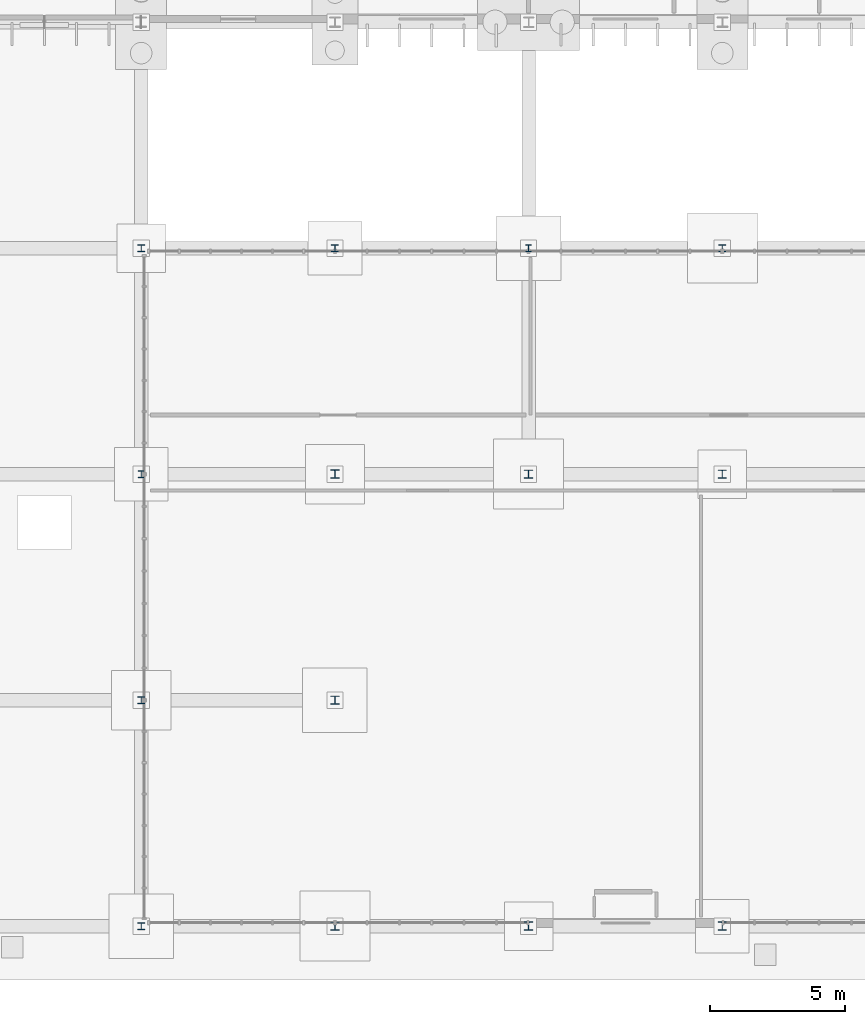
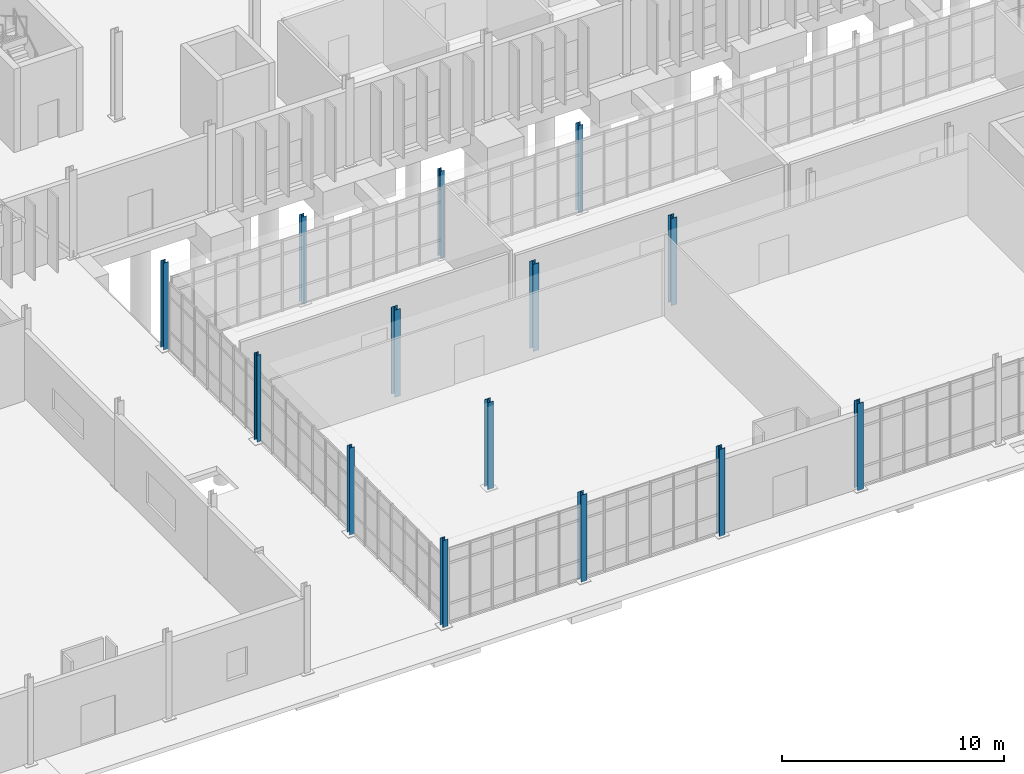
# One storey, part 14 of 118: 14 columns.
"""IFC4 building model written with IfcOpenShell, lengths in metres."""

from ifc_helpers import new_model, si_unit, direction, frame, origin, origin_2d, place, context, subcontext, project, spatial, i_section, extrude, material, material_profile, profile_set, type_object, element, save


model = new_model("IFC4")

# Units and contexts
model_context = context("Model", 3, precision=1e-05, world=origin(), true_north=direction((0.0, 1.0)))
body_context = subcontext(model_context, "Body", "Model", "MODEL_VIEW")
ifc_project = project(units=[si_unit("LENGTHUNIT", "METRE"), si_unit("AREAUNIT", "SQUARE_METRE"), si_unit("VOLUMEUNIT", "CUBIC_METRE"), si_unit("PLANEANGLEUNIT", "RADIAN"), si_unit("MASSUNIT", "GRAM", prefix="KILO")], contexts=[model_context])

# Site, building, storey
site_placement = place(None, origin())
site = spatial("IfcSite", under=ifc_project, at=site_placement, CompositionType="ELEMENT")
building_placement = place(site_placement, origin())
building = spatial("IfcBuilding", under=site, at=building_placement, Name="Qelthora Terrace Specialist Clinic", CompositionType="ELEMENT")
storey_placement = place(building_placement, origin())
storey = spatial("IfcBuildingStorey", under=building, at=storey_placement, Name="L00", CompositionType="ELEMENT", Elevation=0.0)

# Columns
ifc_material = material(Name="Steel S355", Category="steel")
ifc_material_profile_1 = material_profile(ifc_material, i_section(OverallWidth=0.2041015625, OverallDepth=0.257080078125, WebThickness=0.0087890625, FlangeThickness=0.015625, FilletRadius=0.012939453125, at=origin_2d()), Name="W250X67")
ifc_profile_set_1 = profile_set([ifc_material_profile_1], Name="Steel S355")
column_type_1 = type_object("IfcColumnType", Name="COL-W250X67", PredefinedType="COLUMN", material=ifc_profile_set_1)
for number, where, z_axis, x_axis, name in (
    (1, (100.800048828125, 16.800048828125, 0.0), (0.0, 0.0, 1.0), (1.0, 0.0, 0.0), "Column L00-163"),
    (2, (115.199951171875, 25.199951171875, 0.0), (0.0, 0.0, 1.0), (1.0, 0.0, 0.0), "Column L00-191"),
):
    element("IfcColumn", number, at=place(storey_placement, frame(where, z_axis=z_axis, x_axis=x_axis)), inside=storey, type_object=column_type_1, Name=name, PredefinedType="COLUMN", context=body_context, shape_type="SweptSolid", body=[
        extrude(i_section(OverallWidth=0.2041015625, OverallDepth=0.257080078125, WebThickness=0.0087890625, FlangeThickness=0.015625, FilletRadius=0.012939453125, at=origin_2d()), origin(), (0.0, 0.0, 1.0), 4.800048828125),
    ])
ifc_material_profile_2 = material_profile(ifc_material, i_section(OverallWidth=0.25390625, OverallDepth=0.2529296875, WebThickness=0.008544921875, FlangeThickness=0.01416015625, FilletRadius=0.012939453125, at=origin_2d()), Name="W250X73")
ifc_profile_set_2 = profile_set([ifc_material_profile_2], Name="Steel S355")
column_type_2 = type_object("IfcColumnType", Name="COL-W250X73", PredefinedType="COLUMN", material=ifc_profile_set_2)
for number, where, z_axis, x_axis, name in (
    (3, (100.800048828125, 8.39990234375, 0.0), (0.0, 0.0, 1.0), (1.0, 0.0, 0.0), "Column L00-162"),
    (4, (108.0, 25.199951171875, 0.0), (0.0, 0.0, 1.0), (1.0, 0.0, 0.0), "Column L00-178"),
):
    element("IfcColumn", number, at=place(storey_placement, frame(where, z_axis=z_axis, x_axis=x_axis)), inside=storey, type_object=column_type_2, Name=name, PredefinedType="COLUMN", context=body_context, shape_type="SweptSolid", body=[
        extrude(i_section(OverallWidth=0.25390625, OverallDepth=0.2529296875, WebThickness=0.008544921875, FlangeThickness=0.01416015625, FilletRadius=0.012939453125, at=origin_2d()), origin(), (0.0, 0.0, 1.0), 4.800048828125),
    ])
ifc_material_profile_3 = material_profile(ifc_material, i_section(OverallWidth=0.2548828125, OverallDepth=0.256103515625, WebThickness=0.009521484375, FlangeThickness=0.015625, FilletRadius=0.012939453125, at=origin_2d()), Name="W250X80")
ifc_profile_set_3 = profile_set([ifc_material_profile_3], Name="Steel S355")
column_type_3 = type_object("IfcColumnType", Name="COL-W250X80", PredefinedType="COLUMN", material=ifc_profile_set_3)
column_1_placement = place(storey_placement, frame((100.800048828125, 0.0, 0.0), z_axis=(0.0, 0.0, 1.0), x_axis=(1.0, 0.0, 0.0)))
element("IfcColumn", 5, at=column_1_placement, inside=storey, type_object=column_type_3, Name="Column L00-161", PredefinedType="COLUMN", context=body_context, shape_type="SweptSolid", body=[
    extrude(i_section(OverallWidth=0.2548828125, OverallDepth=0.256103515625, WebThickness=0.009521484375, FlangeThickness=0.015625, FilletRadius=0.012939453125, at=origin_2d()), origin(), (0.0, 0.0, 1.0), 4.800048828125),
])
ifc_material_profile_4 = material_profile(ifc_material, i_section(OverallWidth=0.256103515625, OverallDepth=0.260009765625, WebThickness=0.0107421875, FlangeThickness=0.017333984375, FilletRadius=0.012939453125, at=origin_2d()), Name="W250X89")
ifc_profile_set_4 = profile_set([ifc_material_profile_4], Name="Steel S355")
column_type_4 = type_object("IfcColumnType", Name="COL-W250X89", PredefinedType="COLUMN", material=ifc_profile_set_4)
for number, where, z_axis, x_axis, name in (
    (6, (100.800048828125, 25.199951171875, 0.0), (0.0, 0.0, 1.0), (1.0, 0.0, 0.0), "Column L00-164"),
    (7, (122.39990234375, 25.199951171875, 0.0), (0.0, 0.0, 1.0), (1.0, 0.0, 0.0), "Column L00-200"),
):
    element("IfcColumn", number, at=place(storey_placement, frame(where, z_axis=z_axis, x_axis=x_axis)), inside=storey, type_object=column_type_4, Name=name, PredefinedType="COLUMN", context=body_context, shape_type="SweptSolid", body=[
        extrude(i_section(OverallWidth=0.256103515625, OverallDepth=0.260009765625, WebThickness=0.0107421875, FlangeThickness=0.017333984375, FilletRadius=0.012939453125, at=origin_2d()), origin(), (0.0, 0.0, 1.0), 4.800048828125),
    ])
ifc_material_profile_5 = material_profile(ifc_material, i_section(OverallWidth=0.305908203125, OverallDepth=0.31103515625, WebThickness=0.010986328125, FlangeThickness=0.01708984375, FilletRadius=0.014892578125, at=origin_2d()), Name="W310X107")
ifc_profile_set_5 = profile_set([ifc_material_profile_5], Name="Steel S355")
column_type_5 = type_object("IfcColumnType", Name="COL-W310X107", PredefinedType="COLUMN", material=ifc_profile_set_5)
for number, where, z_axis, x_axis, name in (
    (8, (108.0, 0.0, 0.0), (0.0, 0.0, 1.0), (1.0, 0.0, 0.0), "Column L00-175"),
    (9, (115.199951171875, 16.800048828125, 0.0), (0.0, 0.0, 1.0), (1.0, 0.0, 0.0), "Column L00-190"),
    (10, (122.39990234375, 16.800048828125, 0.0), (0.0, 0.0, 1.0), (1.0, 0.0, 0.0), "Column L00-199"),
):
    element("IfcColumn", number, at=place(storey_placement, frame(where, z_axis=z_axis, x_axis=x_axis)), inside=storey, type_object=column_type_5, Name=name, PredefinedType="COLUMN", context=body_context, shape_type="SweptSolid", body=[
        extrude(i_section(OverallWidth=0.305908203125, OverallDepth=0.31103515625, WebThickness=0.010986328125, FlangeThickness=0.01708984375, FilletRadius=0.014892578125, at=origin_2d()), origin(), (0.0, 0.0, 1.0), 4.800048828125),
    ])
ifc_material_profile_6 = material_profile(ifc_material, i_section(OverallWidth=0.306884765625, OverallDepth=0.31396484375, WebThickness=0.011962890625, FlangeThickness=0.018798828125, FilletRadius=0.01611328125, at=origin_2d()), Name="W310X118")
ifc_profile_set_6 = profile_set([ifc_material_profile_6], Name="Steel S355")
column_type_6 = type_object("IfcColumnType", Name="COL-W310X118", PredefinedType="COLUMN", material=ifc_profile_set_6)
for number, where, z_axis, x_axis, name in (
    (11, (108.0, 16.800048828125, 0.0), (0.0, 0.0, 1.0), (1.0, 0.0, 0.0), "Column L00-177"),
    (12, (115.199951171875, 0.0, 0.0), (0.0, 0.0, 1.0), (1.0, 0.0, 0.0), "Column L00-189"),
    (13, (122.39990234375, 0.0, 0.0), (0.0, 0.0, 1.0), (1.0, 0.0, 0.0), "Column L00-198"),
):
    element("IfcColumn", number, at=place(storey_placement, frame(where, z_axis=z_axis, x_axis=x_axis)), inside=storey, type_object=column_type_6, Name=name, PredefinedType="COLUMN", context=body_context, shape_type="SweptSolid", body=[
        extrude(i_section(OverallWidth=0.306884765625, OverallDepth=0.31396484375, WebThickness=0.011962890625, FlangeThickness=0.018798828125, FilletRadius=0.01611328125, at=origin_2d()), origin(), (0.0, 0.0, 1.0), 4.800048828125),
    ])
ifc_material_profile_7 = material_profile(ifc_material, i_section(OverallWidth=0.304931640625, OverallDepth=0.30810546875, WebThickness=0.010009765625, FlangeThickness=0.015380859375, FilletRadius=0.014892578125, at=origin_2d()), Name="W310X97")
ifc_profile_set_7 = profile_set([ifc_material_profile_7], Name="Steel S355")
column_type_7 = type_object("IfcColumnType", Name="COL-W310X97", PredefinedType="COLUMN", material=ifc_profile_set_7)
column_2_placement = place(storey_placement, frame((108.0, 8.39990234375, 0.0), z_axis=(0.0, 0.0, 1.0), x_axis=(1.0, 0.0, 0.0)))
element("IfcColumn", 14, at=column_2_placement, inside=storey, type_object=column_type_7, Name="Column L00-176", PredefinedType="COLUMN", context=body_context, shape_type="SweptSolid", body=[
    extrude(i_section(OverallWidth=0.304931640625, OverallDepth=0.30810546875, WebThickness=0.010009765625, FlangeThickness=0.015380859375, FilletRadius=0.014892578125, at=origin_2d()), origin(), (0.0, 0.0, 1.0), 4.800048828125),
])

save(model, "model.ifc")
